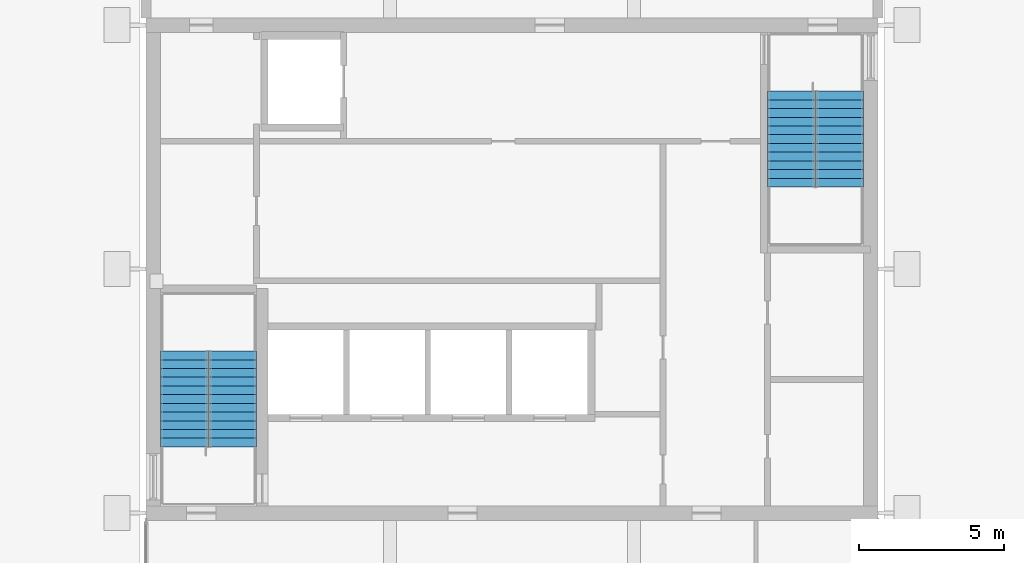
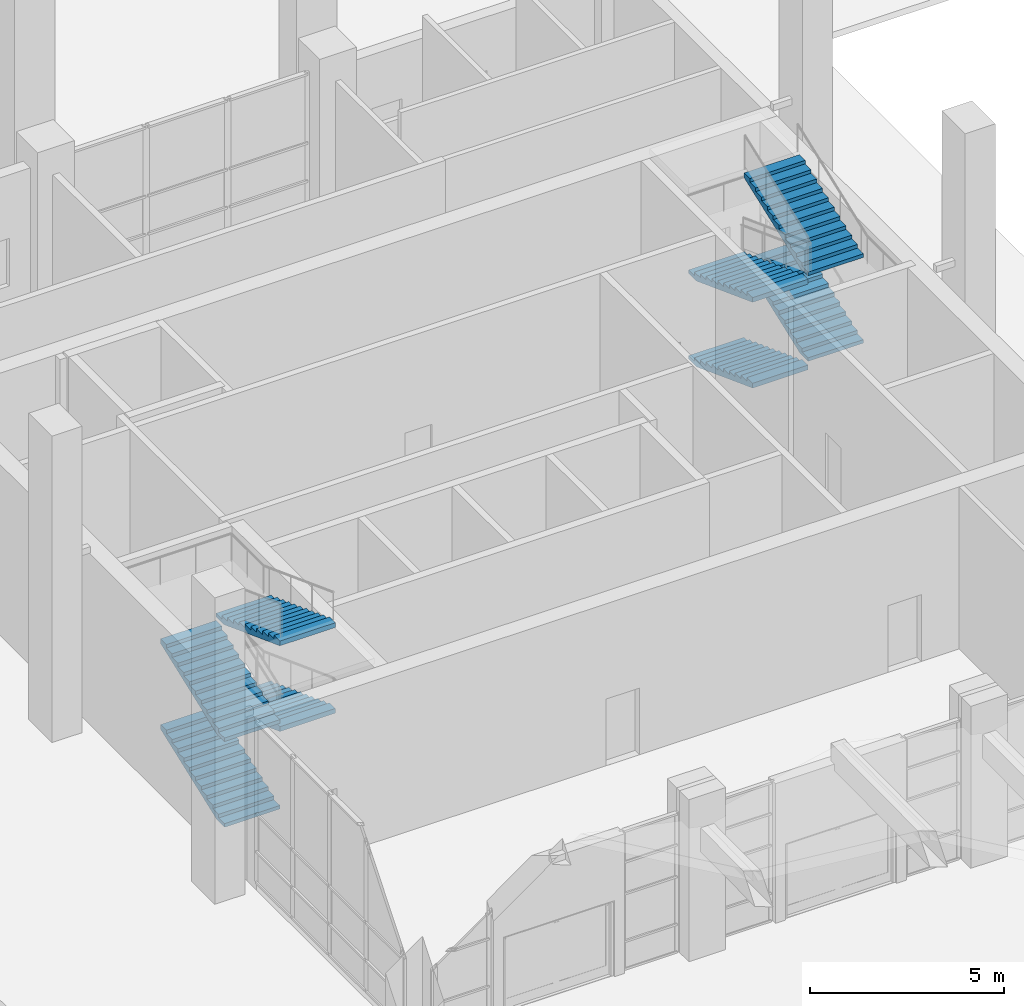
# One storey, part 42 of 74: 8 stair flights, 2 elements without a shape of their own.
"""IFC4 building model written with IfcOpenShell, lengths in metres."""

from ifc_helpers import new_model, si_unit, direction, frame, origin, place, context, subcontext, project, spatial, polyline, outline, extrude, material, type_object, element, aggregate, save


model = new_model("IFC4")

# Units and contexts
model_context = context("Model", 3, precision=1e-05, world=origin(), true_north=direction((0.0, 1.0)))
body_context = subcontext(model_context, "Body", "Model", "MODEL_VIEW")
ifc_project = project(units=[si_unit("LENGTHUNIT", "METRE"), si_unit("AREAUNIT", "SQUARE_METRE"), si_unit("VOLUMEUNIT", "CUBIC_METRE"), si_unit("PLANEANGLEUNIT", "RADIAN"), si_unit("MASSUNIT", "GRAM", prefix="KILO")], contexts=[model_context])

# Site, building, storey
site_placement = place(None, origin())
site = spatial("IfcSite", under=ifc_project, at=site_placement, CompositionType="ELEMENT")
building_placement = place(site_placement, origin())
building = spatial("IfcBuilding", under=site, at=building_placement, Name="Rulbaag Community and Learning Centre", CompositionType="ELEMENT")
storey_placement = place(building_placement, origin())
storey = spatial("IfcBuildingStorey", under=building, at=storey_placement, Name="L00", CompositionType="ELEMENT", Elevation=0.0)

# Stair, stair flights
ifc_material = material(Name="Concrete M40", Category="concrete")
stair_type = type_object("IfcStairType", Name="ST-1650 STAIR 1650 WIDE", PredefinedType="HALF_TURN_STAIR", material=ifc_material)
stair_1_placement = place(storey_placement, origin())
stair_1 = element("IfcStair", 1, at=stair_1_placement, inside=storey, type_object=stair_type, Name="Stair ST1 L00", PredefinedType="HALF_TURN_STAIR")
stair_flight_type = type_object("IfcStairFlightType", Name="FL-1650 FLIGHT 1650 WIDE Concrete M40", PredefinedType="STRAIGHT", material=ifc_material)
stair_flight_1_placement = place(storey_placement, frame((144.125, 94.675048828125, 0.0), z_axis=(0.0, 0.0, 1.0), x_axis=(0.0, 1.0, 0.0)))
stair_flight_1 = element("IfcStairFlight", 2, at=stair_flight_1_placement, type_object=stair_flight_type, Name="ST1 flight 1", NumberOfRisers=12, NumberOfTreads=11, PredefinedType="STRAIGHT", RiserHeight=0.1125, TreadLength=0.3, context=body_context, shape_type="SweptSolid", body=[
    extrude(outline(polyline([(0.0, 0.0), (0.0, 0.112548828125), (0.300048828125, 0.112548828125), (0.300048828125, 0.22509765625), (0.60009765625, 0.22509765625), (0.60009765625, 0.33740234375), (0.89990234375, 0.33740234375), (0.89990234375, 0.449951171875), (1.199951171875, 0.449951171875), (1.199951171875, 0.5625), (1.5, 0.5625), (1.5, 0.675048828125), (1.800048828125, 0.675048828125), (1.800048828125, 0.78759765625), (2.10009765625, 0.78759765625), (2.10009765625, 0.89990234375), (2.39990234375, 0.89990234375), (2.39990234375, 1.012451171875), (2.699951171875, 1.012451171875), (2.699951171875, 1.125), (3.0, 1.125), (3.0, 1.237548828125), (3.300048828125, 1.237548828125), (3.300048828125, 1.088134765625), (0.3984375, 0.0), (0.0, 0.0)])), frame((0.0, 0.824951171875, 0.0), z_axis=(0.0, -1.0, 0.0), x_axis=(1.0, 0.0, 0.0)), (0.0, 0.0, 1.0), 1.64990234375),
])
stair_flight_2_placement = place(storey_placement, frame((145.77490234375, 97.97509765625, 1.35009765625), z_axis=(0.0, 0.0, 1.0), x_axis=(0.0, -1.0, 0.0)))
stair_flight_2 = element("IfcStairFlight", 3, at=stair_flight_2_placement, type_object=stair_flight_type, Name="ST1 flight 2", NumberOfRisers=12, NumberOfTreads=11, PredefinedType="STRAIGHT", RiserHeight=0.1125, TreadLength=0.3, context=body_context, shape_type="SweptSolid", body=[
    extrude(outline(polyline([(0.0, 0.0), (0.0, 0.112548828125), (0.300048828125, 0.112548828125), (0.300048828125, 0.22509765625), (0.60009765625, 0.22509765625), (0.60009765625, 0.33740234375), (0.89990234375, 0.33740234375), (0.89990234375, 0.449951171875), (1.199951171875, 0.449951171875), (1.199951171875, 0.5625), (1.5, 0.5625), (1.5, 0.675048828125), (1.800048828125, 0.675048828125), (1.800048828125, 0.78759765625), (2.10009765625, 0.78759765625), (2.10009765625, 0.89990234375), (2.39990234375, 0.89990234375), (2.39990234375, 1.012451171875), (2.699951171875, 1.012451171875), (2.699951171875, 1.125), (3.0, 1.125), (3.0, 1.237548828125), (3.300048828125, 1.237548828125), (3.300048828125, 1.088134765625), (0.3984375, 0.0), (0.0, 0.0)])), frame((0.0, 0.824951171875, 0.0), z_axis=(0.0, -1.0, 0.0), x_axis=(1.0, 0.0, 0.0)), (0.0, 0.0, 1.0), 1.64990234375),
])
stair_flight_3_placement = place(storey_placement, frame((144.125, 94.675048828125, 2.699951171875), z_axis=(0.0, 0.0, 1.0), x_axis=(0.0, 1.0, 0.0)))
stair_flight_3 = element("IfcStairFlight", 4, at=stair_flight_3_placement, type_object=stair_flight_type, Name="ST1 flight 3", NumberOfRisers=12, NumberOfTreads=11, PredefinedType="STRAIGHT", RiserHeight=0.1125, TreadLength=0.3, context=body_context, shape_type="SweptSolid", body=[
    extrude(outline(polyline([(0.0, 0.0), (0.0, 0.112548828125), (0.300048828125, 0.112548828125), (0.300048828125, 0.22509765625), (0.60009765625, 0.22509765625), (0.60009765625, 0.33740234375), (0.89990234375, 0.33740234375), (0.89990234375, 0.449951171875), (1.199951171875, 0.449951171875), (1.199951171875, 0.5625), (1.5, 0.5625), (1.5, 0.675048828125), (1.800048828125, 0.675048828125), (1.800048828125, 0.78759765625), (2.10009765625, 0.78759765625), (2.10009765625, 0.89990234375), (2.39990234375, 0.89990234375), (2.39990234375, 1.012451171875), (2.699951171875, 1.012451171875), (2.699951171875, 1.125), (3.0, 1.125), (3.0, 1.237548828125), (3.300048828125, 1.237548828125), (3.300048828125, 1.088134765625), (0.3984375, 0.0), (0.0, 0.0)])), frame((0.0, 0.824951171875, 0.0), z_axis=(0.0, -1.0, 0.0), x_axis=(1.0, 0.0, 0.0)), (0.0, 0.0, 1.0), 1.64990234375),
])
stair_flight_4_placement = place(storey_placement, frame((145.77490234375, 97.97509765625, 4.050048828125), z_axis=(0.0, 0.0, 1.0), x_axis=(0.0, -1.0, 0.0)))
stair_flight_4 = element("IfcStairFlight", 5, at=stair_flight_4_placement, type_object=stair_flight_type, Name="ST1 flight 4", NumberOfRisers=12, NumberOfTreads=11, PredefinedType="STRAIGHT", RiserHeight=0.1125, TreadLength=0.3, context=body_context, shape_type="SweptSolid", body=[
    extrude(outline(polyline([(0.0, 0.0), (0.0, 0.112548828125), (0.300048828125, 0.112548828125), (0.300048828125, 0.22509765625), (0.60009765625, 0.22509765625), (0.60009765625, 0.33740234375), (0.89990234375, 0.33740234375), (0.89990234375, 0.449951171875), (1.199951171875, 0.449951171875), (1.199951171875, 0.5625), (1.5, 0.5625), (1.5, 0.675048828125), (1.800048828125, 0.675048828125), (1.800048828125, 0.78759765625), (2.10009765625, 0.78759765625), (2.10009765625, 0.89990234375), (2.39990234375, 0.89990234375), (2.39990234375, 1.012451171875), (2.699951171875, 1.012451171875), (2.699951171875, 1.125), (3.0, 1.125), (3.0, 1.237548828125), (3.300048828125, 1.237548828125), (3.300048828125, 1.088134765625), (0.3984375, 0.0), (0.0, 0.0)])), frame((0.0, 0.824951171875, 0.0), z_axis=(0.0, -1.0, 0.0), x_axis=(1.0, 0.0, 0.0)), (0.0, 0.0, 1.0), 1.64990234375),
])
aggregate(stair_1, [stair_flight_1, stair_flight_2, stair_flight_3, stair_flight_4])

stair_2_placement = place(storey_placement, origin())
stair_2 = element("IfcStair", 6, at=stair_2_placement, inside=storey, type_object=stair_type, Name="Stair ST2 L00", PredefinedType="HALF_TURN_STAIR")
stair_flight_5_placement = place(storey_placement, frame((165.02490234375, 106.925048828125, 0.0), z_axis=(0.0, 0.0, 1.0), x_axis=(0.0, -1.0, 0.0)))
stair_flight_5 = element("IfcStairFlight", 7, at=stair_flight_5_placement, type_object=stair_flight_type, Name="ST2 flight 1", NumberOfRisers=12, NumberOfTreads=11, PredefinedType="STRAIGHT", RiserHeight=0.1125, TreadLength=0.3, context=body_context, shape_type="SweptSolid", body=[
    extrude(outline(polyline([(0.0, 0.0), (0.0, 0.112548828125), (0.300048828125, 0.112548828125), (0.300048828125, 0.22509765625), (0.60009765625, 0.22509765625), (0.60009765625, 0.33740234375), (0.89990234375, 0.33740234375), (0.89990234375, 0.449951171875), (1.199951171875, 0.449951171875), (1.199951171875, 0.5625), (1.5, 0.5625), (1.5, 0.675048828125), (1.800048828125, 0.675048828125), (1.800048828125, 0.78759765625), (2.10009765625, 0.78759765625), (2.10009765625, 0.89990234375), (2.39990234375, 0.89990234375), (2.39990234375, 1.012451171875), (2.699951171875, 1.012451171875), (2.699951171875, 1.125), (3.0, 1.125), (3.0, 1.237548828125), (3.300048828125, 1.237548828125), (3.300048828125, 1.088134765625), (0.3984375, 0.0), (0.0, 0.0)])), frame((0.0, 0.824951171875, 0.0), z_axis=(0.0, -1.0, 0.0), x_axis=(1.0, 0.0, 0.0)), (0.0, 0.0, 1.0), 1.64990234375),
])
stair_flight_6_placement = place(storey_placement, frame((166.675048828125, 103.625, 1.35009765625), z_axis=(0.0, 0.0, 1.0), x_axis=(0.0, 1.0, 0.0)))
stair_flight_6 = element("IfcStairFlight", 8, at=stair_flight_6_placement, type_object=stair_flight_type, Name="ST2 flight 2", NumberOfRisers=12, NumberOfTreads=11, PredefinedType="STRAIGHT", RiserHeight=0.1125, TreadLength=0.3, context=body_context, shape_type="SweptSolid", body=[
    extrude(outline(polyline([(0.0, 0.0), (0.0, 0.112548828125), (0.300048828125, 0.112548828125), (0.300048828125, 0.22509765625), (0.60009765625, 0.22509765625), (0.60009765625, 0.33740234375), (0.89990234375, 0.33740234375), (0.89990234375, 0.449951171875), (1.199951171875, 0.449951171875), (1.199951171875, 0.5625), (1.5, 0.5625), (1.5, 0.675048828125), (1.800048828125, 0.675048828125), (1.800048828125, 0.78759765625), (2.10009765625, 0.78759765625), (2.10009765625, 0.89990234375), (2.39990234375, 0.89990234375), (2.39990234375, 1.012451171875), (2.699951171875, 1.012451171875), (2.699951171875, 1.125), (3.0, 1.125), (3.0, 1.237548828125), (3.300048828125, 1.237548828125), (3.300048828125, 1.088134765625), (0.3984375, 0.0), (0.0, 0.0)])), frame((0.0, 0.824951171875, 0.0), z_axis=(0.0, -1.0, 0.0), x_axis=(1.0, 0.0, 0.0)), (0.0, 0.0, 1.0), 1.64990234375),
])
stair_flight_7_placement = place(storey_placement, frame((165.02490234375, 106.925048828125, 2.699951171875), z_axis=(0.0, 0.0, 1.0), x_axis=(0.0, -1.0, 0.0)))
stair_flight_7 = element("IfcStairFlight", 9, at=stair_flight_7_placement, type_object=stair_flight_type, Name="ST2 flight 3", NumberOfRisers=12, NumberOfTreads=11, PredefinedType="STRAIGHT", RiserHeight=0.1125, TreadLength=0.3, context=body_context, shape_type="SweptSolid", body=[
    extrude(outline(polyline([(0.0, 0.0), (0.0, 0.112548828125), (0.300048828125, 0.112548828125), (0.300048828125, 0.22509765625), (0.60009765625, 0.22509765625), (0.60009765625, 0.33740234375), (0.89990234375, 0.33740234375), (0.89990234375, 0.449951171875), (1.199951171875, 0.449951171875), (1.199951171875, 0.5625), (1.5, 0.5625), (1.5, 0.675048828125), (1.800048828125, 0.675048828125), (1.800048828125, 0.78759765625), (2.10009765625, 0.78759765625), (2.10009765625, 0.89990234375), (2.39990234375, 0.89990234375), (2.39990234375, 1.012451171875), (2.699951171875, 1.012451171875), (2.699951171875, 1.125), (3.0, 1.125), (3.0, 1.237548828125), (3.300048828125, 1.237548828125), (3.300048828125, 1.088134765625), (0.3984375, 0.0), (0.0, 0.0)])), frame((0.0, 0.824951171875, 0.0), z_axis=(0.0, -1.0, 0.0), x_axis=(1.0, 0.0, 0.0)), (0.0, 0.0, 1.0), 1.64990234375),
])
stair_flight_8_placement = place(storey_placement, frame((166.675048828125, 103.625, 4.050048828125), z_axis=(0.0, 0.0, 1.0), x_axis=(0.0, 1.0, 0.0)))
stair_flight_8 = element("IfcStairFlight", 10, at=stair_flight_8_placement, type_object=stair_flight_type, Name="ST2 flight 4", NumberOfRisers=12, NumberOfTreads=11, PredefinedType="STRAIGHT", RiserHeight=0.1125, TreadLength=0.3, context=body_context, shape_type="SweptSolid", body=[
    extrude(outline(polyline([(0.0, 0.0), (0.0, 0.112548828125), (0.300048828125, 0.112548828125), (0.300048828125, 0.22509765625), (0.60009765625, 0.22509765625), (0.60009765625, 0.33740234375), (0.89990234375, 0.33740234375), (0.89990234375, 0.449951171875), (1.199951171875, 0.449951171875), (1.199951171875, 0.5625), (1.5, 0.5625), (1.5, 0.675048828125), (1.800048828125, 0.675048828125), (1.800048828125, 0.78759765625), (2.10009765625, 0.78759765625), (2.10009765625, 0.89990234375), (2.39990234375, 0.89990234375), (2.39990234375, 1.012451171875), (2.699951171875, 1.012451171875), (2.699951171875, 1.125), (3.0, 1.125), (3.0, 1.237548828125), (3.300048828125, 1.237548828125), (3.300048828125, 1.088134765625), (0.3984375, 0.0), (0.0, 0.0)])), frame((0.0, 0.824951171875, 0.0), z_axis=(0.0, -1.0, 0.0), x_axis=(1.0, 0.0, 0.0)), (0.0, 0.0, 1.0), 1.64990234375),
])
aggregate(stair_2, [stair_flight_5, stair_flight_6, stair_flight_7, stair_flight_8])

save(model, "model.ifc")
